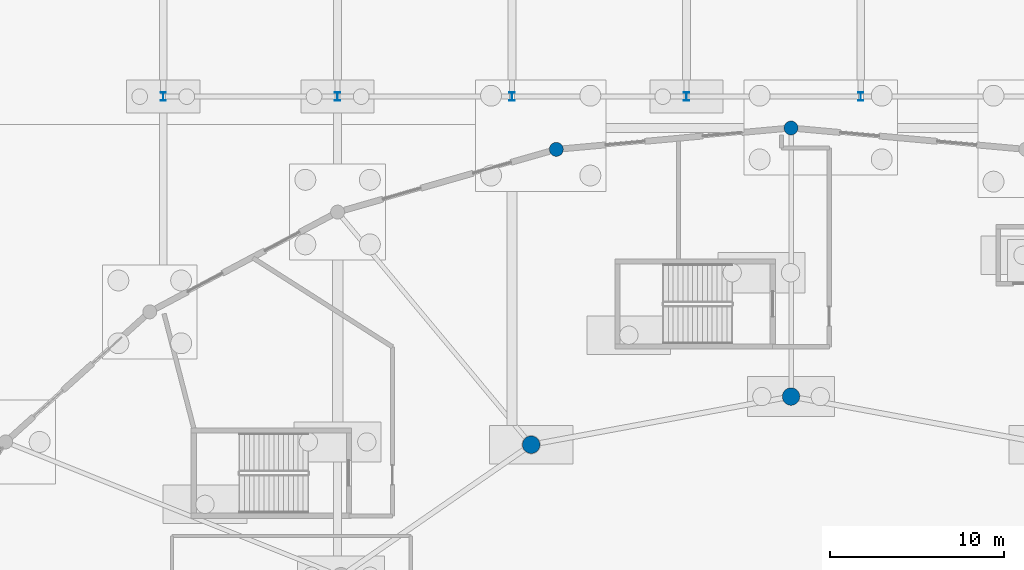
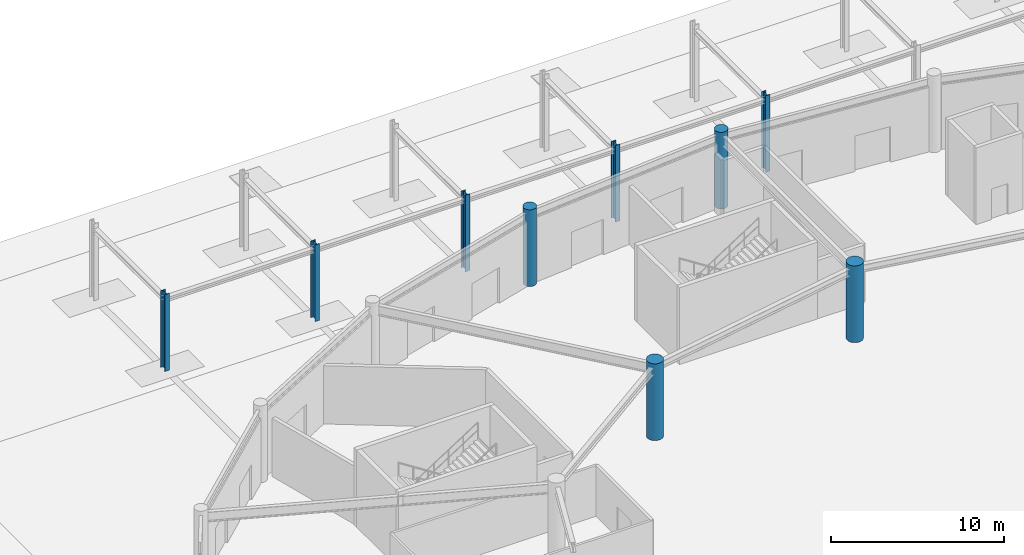
# One storey, part 18 of 99: 9 columns.
"""IFC4 building model written with IfcOpenShell, lengths in metres."""

from ifc_helpers import new_model, si_unit, direction, frame, origin, origin_2d, place, context, subcontext, project, spatial, circle, i_section, extrude, material, material_profile, profile_set, type_object, element, save


model = new_model("IFC4")

# Units and contexts
model_context = context("Model", 3, precision=1e-05, world=origin(), true_north=direction((0.0, 1.0)))
body_context = subcontext(model_context, "Body", "Model", "MODEL_VIEW")
ifc_project = project(units=[si_unit("LENGTHUNIT", "METRE"), si_unit("AREAUNIT", "SQUARE_METRE"), si_unit("VOLUMEUNIT", "CUBIC_METRE"), si_unit("PLANEANGLEUNIT", "RADIAN"), si_unit("MASSUNIT", "GRAM", prefix="KILO")], contexts=[model_context])

# Site, building, storey
site_placement = place(None, origin())
site = spatial("IfcSite", under=ifc_project, at=site_placement, CompositionType="ELEMENT")
building_placement = place(site_placement, origin())
building = spatial("IfcBuilding", under=site, at=building_placement, Name="Kivolera Central Railway Station", CompositionType="ELEMENT")
storey_placement = place(building_placement, origin())
storey = spatial("IfcBuildingStorey", under=building, at=storey_placement, Name="L00", CompositionType="ELEMENT", Elevation=0.0)

# Columns
ifc_material_1 = material(Name="Concrete C40/50", Category="concrete")
ifc_material_profile_1 = material_profile(ifc_material_1, circle(Radius=0.5, at=origin_2d()), Name="RC D1000")
ifc_profile_set_1 = profile_set([ifc_material_profile_1], Name="Concrete C40/50")
column_type_1 = type_object("IfcColumnType", Name="COL-RC-D1000", PredefinedType="COLUMN", material=ifc_profile_set_1)
for number, where, z_axis, x_axis, name in (
    (1, (64.0, 110.60009765625, 0.0), (0.0, 0.0, 1.0), (1.0, 0.0, 0.0), "L00 Oval Gallery Column I04"),
    (2, (49.10009765625, 107.840087890625, 0.0), (0.0, 0.0, 1.0), (1.0, 0.0, 0.0), "L00 Oval Gallery Column I05"),
):
    element("IfcColumn", number, at=place(storey_placement, frame(where, z_axis=z_axis, x_axis=x_axis)), inside=storey, type_object=column_type_1, Name=name, PredefinedType="COLUMN", context=body_context, shape_type="SweptSolid", body=[
        extrude(circle(Radius=0.5, at=origin_2d()), origin(), (0.0, 0.0, 1.0), 5.39990234375),
    ])
ifc_material_profile_2 = material_profile(ifc_material_1, circle(Radius=0.39990234375, at=origin_2d()), Name="RC D800")
ifc_profile_set_2 = profile_set([ifc_material_profile_2], Name="Concrete C40/50")
column_type_2 = type_object("IfcColumnType", Name="COL-RC-D800", PredefinedType="COLUMN", material=ifc_profile_set_2)
for number, where, z_axis, x_axis, name in (
    (3, (64.0, 126.0, 0.0), (0.0, 0.0, 1.0), (1.0, 0.0, 0.0), "L00 Oval Drum Perimeter Column P07"),
    (4, (50.541015625, 124.77294921875, 0.0), (0.0, 0.0, 1.0), (1.0, 0.0, 0.0), "L00 Oval Drum Perimeter Column P08"),
):
    element("IfcColumn", number, at=place(storey_placement, frame(where, z_axis=z_axis, x_axis=x_axis)), inside=storey, type_object=column_type_2, Name=name, PredefinedType="COLUMN", context=body_context, shape_type="SweptSolid", body=[
        extrude(circle(Radius=0.39990234375, at=origin_2d()), origin(), (0.0, 0.0, 1.0), 5.39990234375),
    ])
ifc_material_2 = material(Name="Steel S355", Category="steel")
ifc_material_profile_3 = material_profile(ifc_material_2, i_section(OverallWidth=0.300048828125, OverallDepth=0.5, WebThickness=0.014404296875, FlangeThickness=0.028076171875, FilletRadius=0.027099609375, at=origin_2d()), Name="HEB 500")
ifc_profile_set_3 = profile_set([ifc_material_profile_3], Name="Steel S355")
column_type_3 = type_object("IfcColumnType", Name="COL-STL-HEB500", PredefinedType="COLUMN", material=ifc_profile_set_3)
for number, where, z_axis, x_axis, name in (
    (5, (28.0, 127.800048828125, 0.0), (0.0, 0.0, 1.0), (1.0, 0.0, 0.0), "L00 Forecourt Canopy Pier 1S"),
    (6, (38.0, 127.800048828125, 0.0), (0.0, 0.0, 1.0), (1.0, 0.0, 0.0), "L00 Forecourt Canopy Pier 2S"),
    (7, (48.0, 127.800048828125, 0.0), (0.0, 0.0, 1.0), (1.0, 0.0, 0.0), "L00 Forecourt Canopy Pier 3S"),
    (8, (58.0, 127.800048828125, 0.0), (0.0, 0.0, 1.0), (1.0, 0.0, 0.0), "L00 Forecourt Canopy Pier 4S"),
    (9, (68.0, 127.800048828125, 0.0), (0.0, 0.0, 1.0), (1.0, 0.0, 0.0), "L00 Forecourt Canopy Pier 5S"),
):
    element("IfcColumn", number, at=place(storey_placement, frame(where, z_axis=z_axis, x_axis=x_axis)), inside=storey, type_object=column_type_3, Name=name, PredefinedType="COLUMN", context=body_context, shape_type="SweptSolid", body=[
        extrude(i_section(OverallWidth=0.300048828125, OverallDepth=0.5, WebThickness=0.014404296875, FlangeThickness=0.028076171875, FilletRadius=0.027099609375, at=origin_2d()), origin(), (0.0, 0.0, 1.0), 5.39990234375),
    ])

save(model, "model.ifc")
